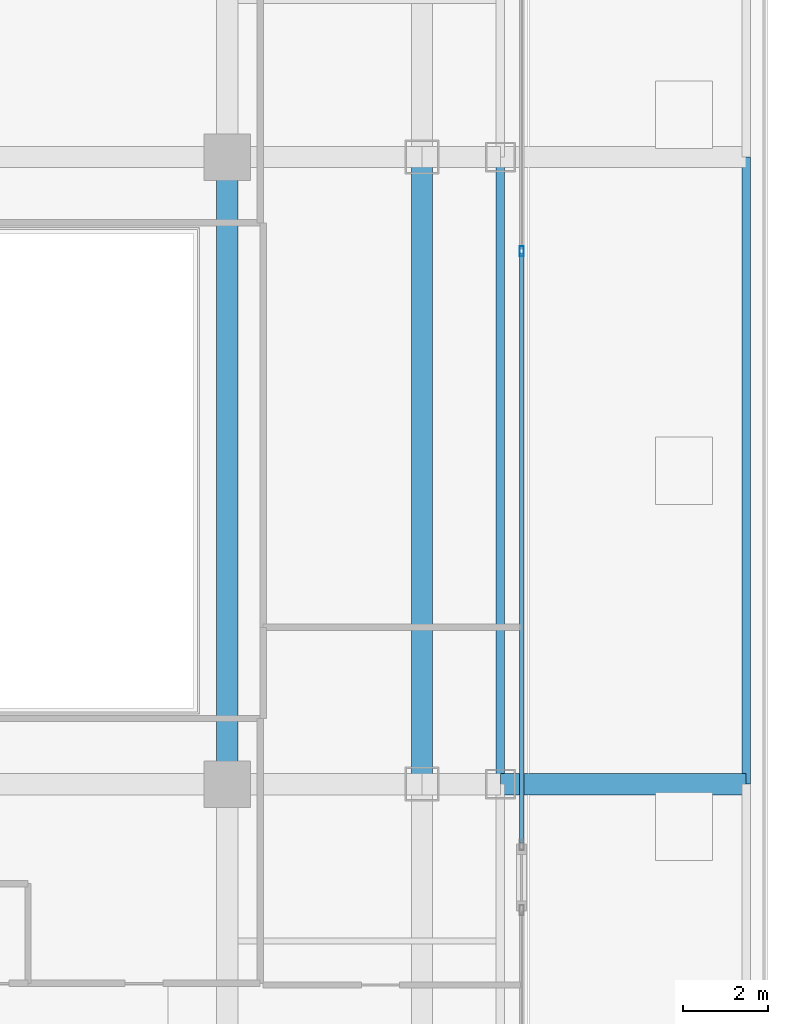
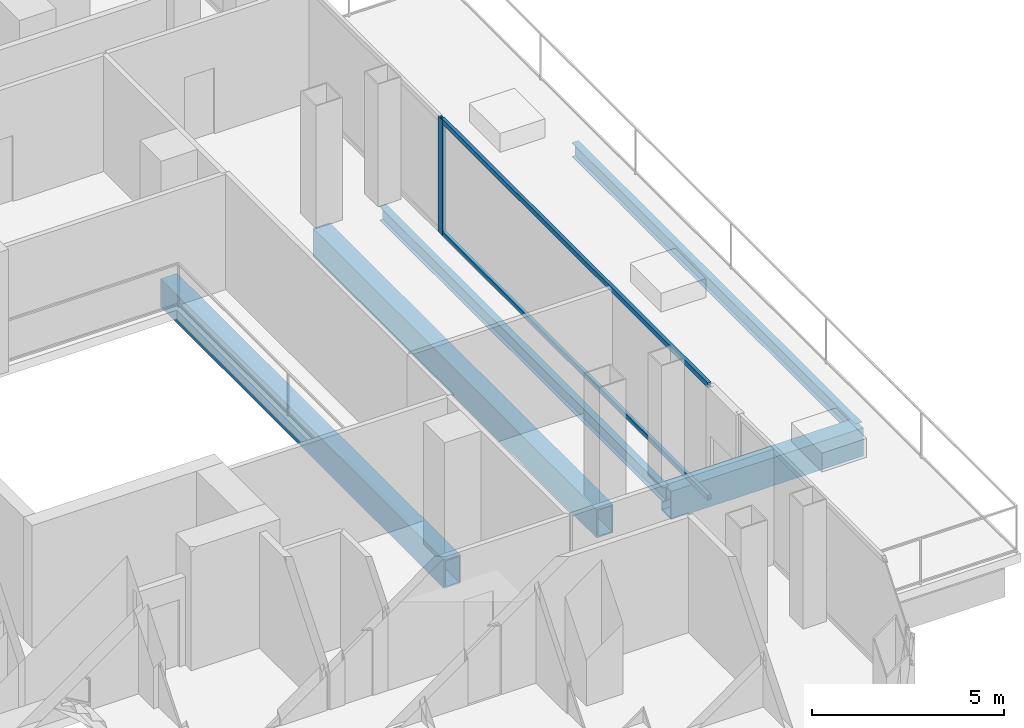
# One storey, part 9 of 27: 5 beams, 3 members, 1 element without a shape of its own.
"""IFC4 building model written with IfcOpenShell, lengths in metres."""

from ifc_helpers import new_model, si_unit, direction, frame, origin, origin_2d, place, context, subcontext, project, spatial, hollow_rectangle, i_section, extrude, material, layer, layer_set, material_profile, profile_set, type_object, element, aggregate, save


model = new_model("IFC4")

# Units and contexts
model_context = context("Model", 3, precision=1e-05, world=origin(), true_north=direction((0.0, 1.0)))
body_context = subcontext(model_context, "Body", "Model", "MODEL_VIEW")
ifc_project = project(units=[si_unit("LENGTHUNIT", "METRE"), si_unit("AREAUNIT", "SQUARE_METRE"), si_unit("VOLUMEUNIT", "CUBIC_METRE"), si_unit("PLANEANGLEUNIT", "RADIAN"), si_unit("MASSUNIT", "GRAM", prefix="KILO")], contexts=[model_context])

# Site, building, storey
site_placement = place(None, origin())
site = spatial("IfcSite", under=ifc_project, at=site_placement, CompositionType="ELEMENT")
building_placement = place(site_placement, origin())
building = spatial("IfcBuilding", under=site, at=building_placement, Name="Khorvyn Point Tower", CompositionType="ELEMENT")
storey_placement = place(building_placement, frame((0.0, 0.0, 168.0)))
storey = spatial("IfcBuildingStorey", under=building, at=storey_placement, Name="L41", CompositionType="ELEMENT", Elevation=168.0)

# Curtain wall, members
ifc_material_1 = material(Name="Anodised aluminium 6063-T6 and laminated Low-E glass", Category="aluminium")
ifc_layer = layer(ifc_material_1, 0.18994140625)
ifc_layer_set = layer_set([ifc_layer], Name="Stick-Built Acoustic Curtain Wall CW-SYS-03")
curtain_wall_type = type_object("IfcCurtainWallType", Name="Stick-Built Acoustic Curtain Wall CW-SYS-03", PredefinedType="NOTDEFINED", material=ifc_layer_set)
curtain_wall_placement = place(storey_placement, origin())
curtain_wall = element("IfcCurtainWall", 1, at=curtain_wall_placement, inside=storey, type_object=curtain_wall_type, Name="Curtain Wall", PredefinedType="NOTDEFINED")
ifc_material_2 = material(Name="Anodised aluminium 6063-T6", Category="aluminium")
ifc_material_profile_1 = material_profile(ifc_material_2, hollow_rectangle(XDim=0.10009765625, YDim=0.239990234375, WallThickness=0.0048828125, at=origin_2d()))
ifc_profile_set_1 = profile_set([ifc_material_profile_1], Name="Anodised aluminium 6063-T6 ALU-MUL-100x240")
member_type_1 = type_object("IfcMemberType", Name="Anodised Aluminium 6063-T6 Mullion ALU-MUL-100x240", PredefinedType="MULLION", material=ifc_profile_set_1)
member_1_placement = place(storey_placement, frame((21.75, 5.1826171875, 0.0), z_axis=(0.0, 0.0, 1.0), x_axis=(1.0, 0.0, 0.0)))
member_1 = element("IfcMember", 2, at=member_1_placement, type_object=member_type_1, Name="Transom", PredefinedType="MULLION", context=body_context, shape_type="SweptSolid", body=[
    extrude(hollow_rectangle(XDim=0.10009765625, YDim=0.239990234375, WallThickness=0.0048828125, at=origin_2d()), origin(), (0.0, 0.0, 1.0), 3.679931640625),
])
ifc_material_profile_2 = material_profile(ifc_material_2, hollow_rectangle(XDim=0.10009765625, YDim=0.159912109375, WallThickness=0.00439453125, at=origin_2d()))
ifc_profile_set_2 = profile_set([ifc_material_profile_2], Name="Anodised aluminium 6063-T6 ALU-TRN-100x160")
member_type_2 = type_object("IfcMemberType", Name="Anodised Aluminium 6063-T6 Transom ALU-TRN-100x160", PredefinedType="USERDEFINED", material=ifc_profile_set_2)
member_2_placement = place(storey_placement, frame((21.75, 5.132568359375, 0.050048828125), z_axis=(0.0, -1.0, 0.0), x_axis=(1.0, 0.0, 0.0)))
member_2 = element("IfcMember", 3, at=member_2_placement, type_object=member_type_2, Name="Transom", ObjectType="TRANSOM", PredefinedType="USERDEFINED", context=body_context, shape_type="SweptSolid", body=[
    extrude(hollow_rectangle(XDim=0.10009765625, YDim=0.159912109375, WallThickness=0.00439453125, at=origin_2d()), origin(), (0.0, 0.0, 1.0), 13.91748046875),
])
member_3_placement = place(storey_placement, frame((21.75, 5.132568359375, 3.6298828125), z_axis=(0.0, -1.0, 0.0), x_axis=(1.0, 0.0, 0.0)))
member_3 = element("IfcMember", 4, at=member_3_placement, type_object=member_type_2, Name="Transom", ObjectType="TRANSOM", PredefinedType="USERDEFINED", context=body_context, shape_type="SweptSolid", body=[
    extrude(hollow_rectangle(XDim=0.10009765625, YDim=0.159912109375, WallThickness=0.00439453125, at=origin_2d()), origin(), (0.0, 0.0, 1.0), 13.91748046875),
])
aggregate(curtain_wall, [member_1, member_2, member_3])

# Beams
ifc_material_3 = material(Name="Steel S355", Category="steel")
ifc_material_profile_3 = material_profile(ifc_material_3, i_section(OverallWidth=0.199951171875, OverallDepth=0.449951171875, WebThickness=0.009033203125, FlangeThickness=0.013916015625, at=origin_2d()))
ifc_profile_set_3 = profile_set([ifc_material_profile_3], Name="Steel S355 H450x200x9x14")
beam_type_1 = type_object("IfcBeamType", Name="Steel S355 Spandrel H450x200x9x14", PredefinedType="SPANDREL", material=ifc_profile_set_3)
for number, where, z_axis, x_axis, name in (
    (5, (21.25, -7.39990234375, -0.5048828125), (0.0, 1.0, 0.0), (-1.0, 0.0, 0.0), "Beam"),
    (6, (27.050048828125, -7.39990234375, -0.5048828125), (0.0, 1.0, 0.0), (-1.0, 0.0, 0.0), "Beam"),
):
    element("IfcBeam", number, at=place(storey_placement, frame(where, z_axis=z_axis, x_axis=x_axis)), inside=storey, type_object=beam_type_1, Name=name, PredefinedType="SPANDREL", context=body_context, shape_type="SweptSolid", body=[
        extrude(i_section(OverallWidth=0.199951171875, OverallDepth=0.449951171875, WebThickness=0.009033203125, FlangeThickness=0.013916015625, at=origin_2d()), origin(), (0.0, 0.0, 1.0), 14.7998046875),
    ])
ifc_material_4 = material(Name="Steel S450", Category="steel")
ifc_material_profile_4 = material_profile(ifc_material_4, hollow_rectangle(XDim=0.5, YDim=0.89990234375, WallThickness=0.0400390625, at=origin_2d()))
ifc_profile_set_4 = profile_set([ifc_material_profile_4], Name="Steel S450 BOX900x500x40")
beam_type_2 = type_object("IfcBeamType", Name="Steel S450 Beam BOX900x500x40", PredefinedType="BEAM", material=ifc_profile_set_4)
beam_placement = place(storey_placement, frame((21.25, -7.39990234375, -0.72998046875), z_axis=(1.0, 0.0, 0.0), x_axis=(0.0, 1.0, 0.0)))
element("IfcBeam", 7, at=beam_placement, inside=storey, type_object=beam_type_2, Name="Beam", PredefinedType="BEAM", context=body_context, shape_type="SweptSolid", body=[
    extrude(hollow_rectangle(XDim=0.5, YDim=0.89990234375, WallThickness=0.0400390625, at=origin_2d()), origin(), (0.0, 0.0, 1.0), 5.800048828125),
])
for number, where, z_axis, x_axis, name in (
    (8, (14.800048828125, -7.39990234375, -0.72998046875), (0.0, 1.0, 0.0), (-1.0, 0.0, 0.0), "L41 Radial Transfer Girder"),
    (9, (19.39990234375, -7.39990234375, -0.72998046875), (0.0, 1.0, 0.0), (-1.0, 0.0, 0.0), "Beam"),
):
    element("IfcBeam", number, at=place(storey_placement, frame(where, z_axis=z_axis, x_axis=x_axis)), inside=storey, type_object=beam_type_2, Name=name, PredefinedType="BEAM", context=body_context, shape_type="SweptSolid", body=[
        extrude(hollow_rectangle(XDim=0.5, YDim=0.89990234375, WallThickness=0.0400390625, at=origin_2d()), origin(), (0.0, 0.0, 1.0), 14.7998046875),
    ])

save(model, "model.ifc")
